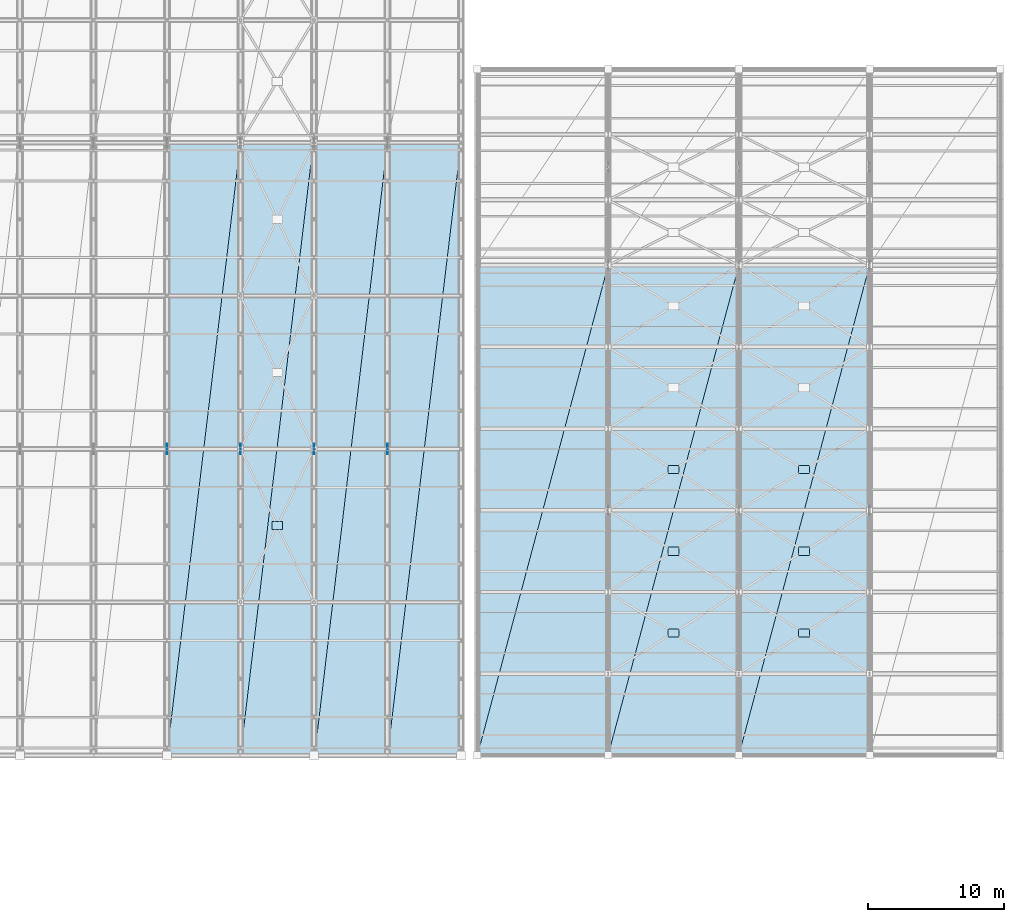
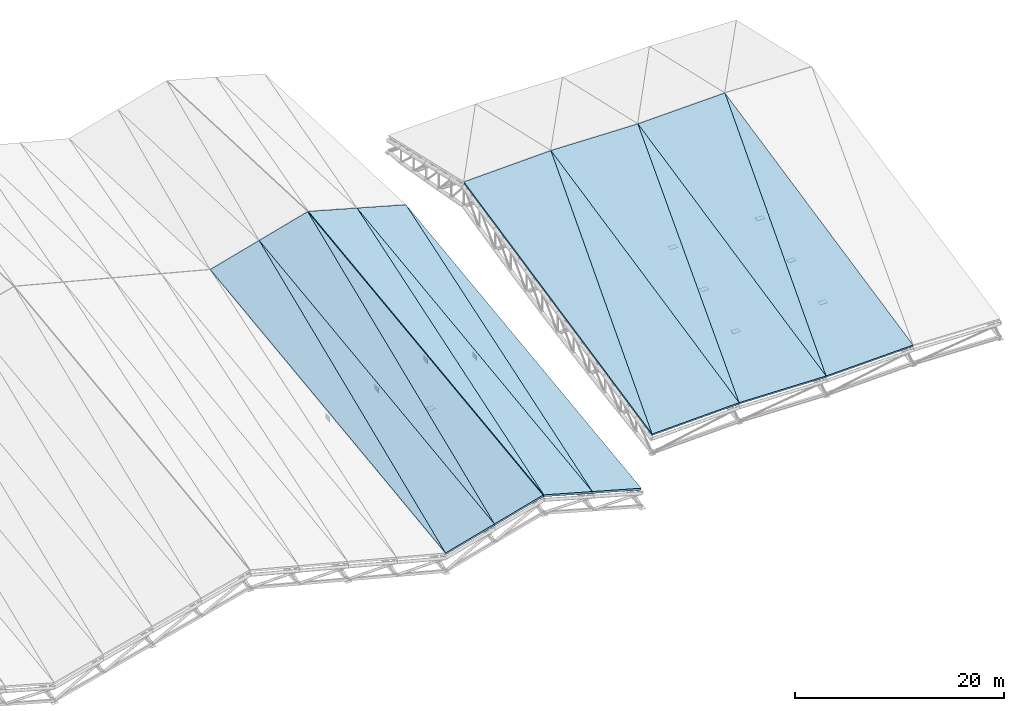
# One storey, part 101 of 109: 14 slabs, 11 plates.
"""IFC4 building model written with IfcOpenShell, lengths in metres."""

from ifc_helpers import new_model, si_unit, direction, frame, origin, origin_2d, place, context, subcontext, project, spatial, polyline, rectangle, outline, extrude, material, layer, layer_set, type_object, element, save


model = new_model("IFC4")

# Units and contexts
model_context = context("Model", 3, precision=1e-05, world=origin(), true_north=direction((0.0, 1.0)))
body_context = subcontext(model_context, "Body", "Model", "MODEL_VIEW")
ifc_project = project(units=[si_unit("LENGTHUNIT", "METRE"), si_unit("AREAUNIT", "SQUARE_METRE"), si_unit("VOLUMEUNIT", "CUBIC_METRE"), si_unit("PLANEANGLEUNIT", "RADIAN"), si_unit("MASSUNIT", "GRAM", prefix="KILO")], contexts=[model_context])

# Site, building, storey
site_placement = place(None, origin())
site = spatial("IfcSite", under=ifc_project, at=site_placement, CompositionType="ELEMENT")
building_placement = place(site_placement, origin())
building = spatial("IfcBuilding", under=site, at=building_placement, Name="Suirenkawa Promenade Aquatics Centre", CompositionType="ELEMENT")
storey_placement = place(building_placement, frame((0.0, 0.0, 22.800048828125)))
storey = spatial("IfcBuildingStorey", under=building, at=storey_placement, Name="ROOF", CompositionType="ELEMENT", Elevation=22.800048828125)

# Plates
ifc_material_1 = material(Name="Steel IS 2062 E350 (Grade 350)", Category="steel")
ifc_layer_1 = layer(ifc_material_1, 0.02392578125, Name="Steel IS 2062 E350 (Grade 350)", Category="steel")
ifc_layer_set_1 = layer_set([ifc_layer_1], Name="Steel IS 2062 E350 (Grade 350)")
plate_type = type_object("IfcPlateType", Name="PLT-GUSSET-800x600x24", PredefinedType="USERDEFINED", material=ifc_layer_set_1)
for number, where, z_axis, x_axis, name in (
    (1, (133.199951171875, 72.89990234375, -12.56005859375), (0.0, 0.0, 1.0), (0.0, 1.0, 0.0), "Truss node plate TN-04 PLG-0064"),
    (2, (138.60009765625, 72.89990234375, -11.06005859375), (0.0, 0.0, 1.0), (0.0, 1.0, 0.0), "Truss node plate TN-04 PLG-0067"),
    (3, (144.0, 72.89990234375, -9.56005859375), (0.0, 0.0, 1.0), (0.0, 1.0, 0.0), "Truss node plate TN-04 PLG-0072"),
    (4, (149.39990234375, 72.89990234375, -11.06005859375), (0.0, 0.0, 1.0), (0.0, 1.0, 0.0), "Truss node plate TN-04 PLG-0075"),
):
    element("IfcPlate", number, at=place(storey_placement, frame(where, z_axis=z_axis, x_axis=x_axis)), inside=storey, type_object=plate_type, Name=name, ObjectType="GUSSET", PredefinedType="USERDEFINED", context=body_context, shape_type="SweptSolid", body=[
        extrude(rectangle(XDim=0.800048828125, YDim=0.02392578125, at=origin_2d()), origin(), (0.0, 0.0, 1.0), 0.60009765625),
    ])
for number, where, z_axis, x_axis, name in (
    (5, (141.300048828125, 67.27490234375, -10.5869140625), (0.0, 0.0, 1.0), (1.0, 0.0, 0.0), "Truss node plate TN-04 PLG-0114"),
    (6, (170.39990234375, 59.39990234375, -7.01708984375), (0.0, 0.0, 1.0), (1.0, 0.0, 0.0), "Truss node plate TN-04 PLG-0150"),
    (7, (170.39990234375, 65.39990234375, -5.75), (0.0, 0.0, 1.0), (1.0, 0.0, 0.0), "Truss node plate TN-04 PLG-0155"),
    (8, (170.39990234375, 71.39990234375, -4.484130859375), (0.0, 0.0, 1.0), (1.0, 0.0, 0.0), "Truss node plate TN-04 PLG-0158"),
    (9, (180.0, 59.39990234375, -7.01708984375), (0.0, 0.0, 1.0), (1.0, 0.0, 0.0), "Truss node plate TN-04 PLG-0173"),
    (10, (180.0, 65.39990234375, -5.75), (0.0, 0.0, 1.0), (1.0, 0.0, 0.0), "Truss node plate TN-04 PLG-0176"),
    (11, (180.0, 71.39990234375, -4.484130859375), (0.0, 0.0, 1.0), (1.0, 0.0, 0.0), "Truss node plate TN-04 PLG-0178"),
):
    element("IfcPlate", number, at=place(storey_placement, frame(where, z_axis=z_axis, x_axis=x_axis)), inside=storey, type_object=plate_type, Name=name, ObjectType="GUSSET", PredefinedType="USERDEFINED", context=body_context, shape_type="SweptSolid", body=[
        extrude(rectangle(XDim=0.800048828125, YDim=0.60009765625, at=origin_2d()), origin(), (0.0, 0.0, 1.0), 0.02392578125),
    ])

# Slabs
ifc_material_2 = material(Name="Concrete M35", Category="concrete")
ifc_layer_2 = layer(ifc_material_2, 0.239990234375, Name="Concrete M35", Category="concrete")
ifc_layer_set_2 = layer_set([ifc_layer_2], Name="Concrete M35")
slab_type_1 = type_object("IfcSlabType", Name="SLT-ROOF-V1-240", PredefinedType="ROOF", material=ifc_layer_set_2)
slab_1_placement = place(storey_placement, frame((133.199951171875, 50.39990234375, -14.400146484375), z_axis=(-0.265594882872, -0.123300611529, 0.956167515339), x_axis=(0.963519781844, 0.0, 0.267637123724)))
element("IfcSlab", 12, at=slab_1_placement, inside=storey, type_object=slab_type_1, Name="Folded roof facet SL-ROOF-01 SL-V1-RFS-17-1", PredefinedType="ROOF", context=body_context, shape_type="SweptSolid", body=[
    extrude(outline(polyline([(0.0, 0.0), (5.604603648136742, 0.0), (7.156912033954506, 45.32387724830122), (0.0, 0.0)])), origin(), (0.0, 0.0, -1.0), 0.239990234375),
])
slab_2_placement = place(storey_placement, frame((133.199951171875, 50.39990234375, -14.400146484375), z_axis=(-0.265594882872, -0.123300611529, 0.956167515339), x_axis=(0.117687536352, 0.980224007513, 0.159092862447)))
element("IfcSlab", 13, at=slab_2_placement, inside=storey, type_object=slab_type_1, Name="Folded roof facet SL-ROOF-01 SL-V1-RFS-17-2", PredefinedType="ROOF", context=body_context, shape_type="SweptSolid", body=[
    extrude(outline(polyline([(0.0, 0.0), (45.885457812697474, 1.3322676295501878e-15), (45.01128858333881, 5.536010315303809), (0.0, 0.0)])), origin(), (0.0, 0.0, -1.0), 0.239990234375),
])
slab_3_placement = place(storey_placement, frame((138.60009765625, 50.39990234375, -12.900146484375), z_axis=(-0.265691615056, -0.123297202657, 0.956141080336), x_axis=(0.963492732357, 0.0, 0.267734485443)))
element("IfcSlab", 14, at=slab_3_placement, inside=storey, type_object=slab_type_1, Name="Folded roof facet SL-ROOF-01 SL-V1-RFS-18-1", PredefinedType="ROOF", context=body_context, shape_type="SweptSolid", body=[
    extrude(outline(polyline([(0.0, 0.0), (5.557883613352395, 0.0), (7.11075670189682, 45.32385790413953), (0.0, 0.0)])), origin(), (0.0, 0.0, -1.0), 0.239990234375),
])
slab_4_placement = place(storey_placement, frame((138.60009765625, 50.39990234375, -12.900146484375), z_axis=(-0.265691615056, -0.123297202657, 0.956141080336), x_axis=(0.116721518962, 0.980377744068, 0.158857061369)))
element("IfcSlab", 15, at=slab_4_placement, inside=storey, type_object=slab_type_1, Name="Folded roof facet SL-ROOF-01 SL-V1-RFS-18-2", PredefinedType="ROOF", context=body_context, shape_type="SweptSolid", body=[
    extrude(outline(polyline([(0.0, 0.0), (45.87826234926735, -4.440892098500626e-16), (45.0168356925396, 5.490720751836677), (0.0, 0.0)])), origin(), (0.0, 0.0, -1.0), 0.239990234375),
])
slab_5_placement = place(storey_placement, frame((144.044921875, 50.39990234375, -11.412109375), z_axis=(0.265691615056, -0.123297202657, 0.956141080336), x_axis=(0.963492732357, 0.0, -0.267734485443)))
element("IfcSlab", 16, at=slab_5_placement, inside=storey, type_object=slab_type_1, Name="Folded roof facet SL-ROOF-01 SL-V1-RFS-19-1", PredefinedType="ROOF", context=body_context, shape_type="SweptSolid", body=[
    extrude(outline(polyline([(0.0, 0.0), (5.557883613352395, 0.0), (4.00501052480797, 45.32385790413954), (0.0, 0.0)])), origin(), (0.0, 0.0, -1.0), 0.239990234375),
])
slab_6_placement = place(storey_placement, frame((144.044921875, 50.39990234375, -11.412109375), z_axis=(0.265691615056, -0.123297202657, 0.956141080336), x_axis=(0.117690678805, 0.988517997457, 0.094768522342)))
element("IfcSlab", 17, at=slab_6_placement, inside=storey, type_object=slab_type_1, Name="Folded roof facet SL-ROOF-01 SL-V1-RFS-19-2", PredefinedType="ROOF", context=body_context, shape_type="SweptSolid", body=[
    extrude(outline(polyline([(0.0, 0.0), (45.50046378465228, 6.661338147750939e-16), (45.01125157634415, 5.536311197432218), (0.0, 0.0)])), origin(), (0.0, 0.0, -1.0), 0.239990234375),
])
slab_7_placement = place(storey_placement, frame((149.39990234375, 50.39990234375, -12.900146484375), z_axis=(0.265594882872, -0.123300611529, 0.956167515339), x_axis=(0.963519781844, 0.0, -0.267637123724)))
element("IfcSlab", 18, at=slab_7_placement, inside=storey, type_object=slab_type_1, Name="Folded roof facet SL-ROOF-01 SL-V1-RFS-20-1", PredefinedType="ROOF", context=body_context, shape_type="SweptSolid", body=[
    extrude(outline(polyline([(0.0, 0.0), (5.604603648136742, 0.0), (4.052295262318977, 45.32387724830122), (0.0, 0.0)])), origin(), (0.0, 0.0, -1.0), 0.239990234375),
])
slab_8_placement = place(storey_placement, frame((149.39990234375, 50.39990234375, -12.900146484375), z_axis=(0.265594882872, -0.123300611529, 0.956167515339), x_axis=(0.118672359221, 0.988426634989, 0.094496869794)))
element("IfcSlab", 19, at=slab_8_placement, inside=storey, type_object=slab_type_1, Name="Folded roof facet SL-ROOF-01 SL-V1-RFS-20-2", PredefinedType="ROOF", context=body_context, shape_type="SweptSolid", body=[
    extrude(outline(polyline([(0.0, 0.0), (45.50466949349364, 4.440892098500626e-16), (45.005566674742965, 5.582336287704533), (0.0, 0.0)])), origin(), (0.0, 0.0, -1.0), 0.239990234375),
])
ifc_layer_3 = layer(ifc_material_2, 0.2099609375, Name="Concrete M35", Category="concrete")
ifc_layer_set_3 = layer_set([ifc_layer_3], Name="Concrete M35")
slab_type_2 = type_object("IfcSlabType", Name="SLT-ROOF-V2-210", PredefinedType="ROOF", material=ifc_layer_set_3)
slab_9_placement = place(storey_placement, frame((156.0, 50.39990234375, -8.5), z_axis=(-0.030565676817, -0.206578731722, 0.97795243596), x_axis=(0.999511927284, 0.0, 0.031239513723)))
element("IfcSlab", 20, at=slab_9_placement, inside=storey, type_object=slab_type_2, Name="Folded roof facet SL-ROOF-02 SL-V2-RFS-01-1", PredefinedType="ROOF", context=body_context, shape_type="SweptSolid", body=[
    extrude(outline(polyline([(0.0, 0.0), (9.604785489993827, 0.0), (9.842201218191043, 36.77118245010058), (0.0, 0.0)])), origin(), (0.0, 0.0, -1.0), 0.219970703125),
])
slab_10_placement = place(storey_placement, frame((156.0, 50.39990234375, -8.5), z_axis=(-0.030565676817, -0.206578731722, 0.97795243596), x_axis=(0.252198871571, 0.94515891633, 0.207533978086)))
element("IfcSlab", 21, at=slab_10_placement, inside=storey, type_object=slab_type_2, Name="Folded roof facet SL-ROOF-02 SL-V2-RFS-01-2", PredefinedType="ROOF", context=body_context, shape_type="SweptSolid", body=[
    extrude(outline(polyline([(0.0, 0.0), (38.06558529167713, -6.661338147750939e-16), (35.58218116887884, 9.27817914634463), (0.0, 0.0)])), origin(), (0.0, 0.0, -1.0), 0.219970703125),
])
slab_11_placement = place(storey_placement, frame((165.60009765625, 50.39990234375, -8.199951171875), z_axis=(0.025471538152, -0.206608242308, 0.978092140319), x_axis=(0.999661077831, 0.0, -0.026033237804)))
element("IfcSlab", 22, at=slab_11_placement, inside=storey, type_object=slab_type_2, Name="Folded roof facet SL-ROOF-02 SL-V2-RFS-02-1", PredefinedType="ROOF", context=body_context, shape_type="SweptSolid", body=[
    extrude(outline(polyline([(0.0, 0.0), (9.60310822189658, 0.0), (9.405259428047309, 36.77141662842693), (0.0, 0.0)])), origin(), (0.0, 0.0, -1.0), 0.219970703125),
])
slab_12_placement = place(storey_placement, frame((165.60009765625, 50.39990234375, -8.199951171875), z_axis=(0.025471538152, -0.206608242308, 0.978092140319), x_axis=(0.252926017641, 0.947908128372, 0.193645577709)))
element("IfcSlab", 23, at=slab_12_placement, inside=storey, type_object=slab_type_2, Name="Folded roof facet SL-ROOF-02 SL-V2-RFS-02-2", PredefinedType="ROOF", context=body_context, shape_type="SweptSolid", body=[
    extrude(outline(polyline([(0.0, 0.0), (37.955183911690185, 1.1102230246251565e-15), (35.57554258647103, 9.303601167546192), (0.0, 0.0)])), origin(), (0.0, 0.0, -1.0), 0.219970703125),
])
slab_13_placement = place(storey_placement, frame((175.199951171875, 50.39990234375, -8.449951171875), z_axis=(-0.025470890804, -0.206608245717, 0.978092156457), x_axis=(0.99966109506, 0.0, 0.0260325762)))
element("IfcSlab", 24, at=slab_13_placement, inside=storey, type_object=slab_type_2, Name="Folded roof facet SL-ROOF-02 SL-V2-RFS-03-1", PredefinedType="ROOF", context=body_context, shape_type="SweptSolid", body=[
    extrude(outline(polyline([(0.0, 0.0), (9.603352279779012, 0.0), (9.801196045534315, 36.77141665548028), (0.0, 0.0)])), origin(), (0.0, 0.0, -1.0), 0.219970703125),
])
slab_14_placement = place(storey_placement, frame((175.199951171875, 50.39990234375, -8.449951171875), z_axis=(-0.025470890804, -0.206608245717, 0.978092156457), x_axis=(0.252267498268, 0.945416106753, 0.206275287926)))
element("IfcSlab", 25, at=slab_14_placement, inside=storey, type_object=slab_type_2, Name="Folded roof facet SL-ROOF-02 SL-V2-RFS-03-2", PredefinedType="ROOF", context=body_context, shape_type="SweptSolid", body=[
    extrude(outline(polyline([(0.0, 0.0), (38.055229952976624, -4.718447854656915e-16), (35.58186851212477, 9.279378114531381), (0.0, 0.0)])), origin(), (0.0, 0.0, -1.0), 0.219970703125),
])

save(model, "model.ifc")
